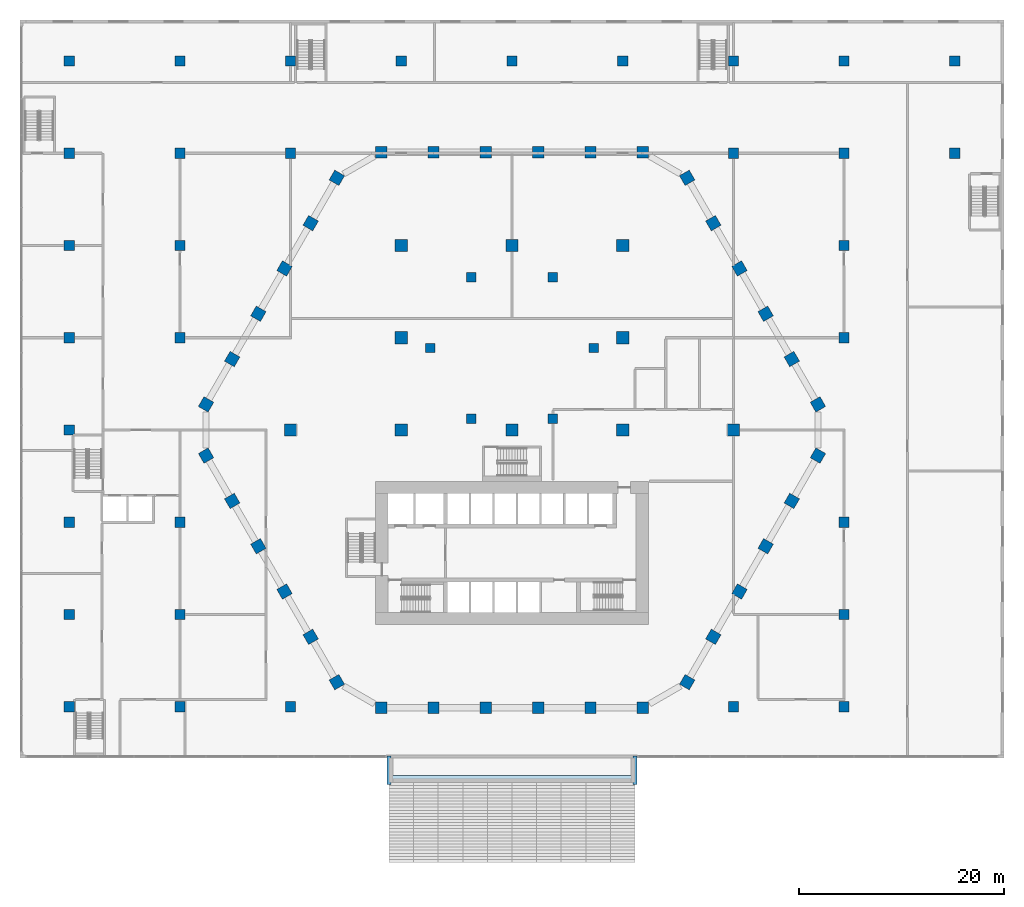
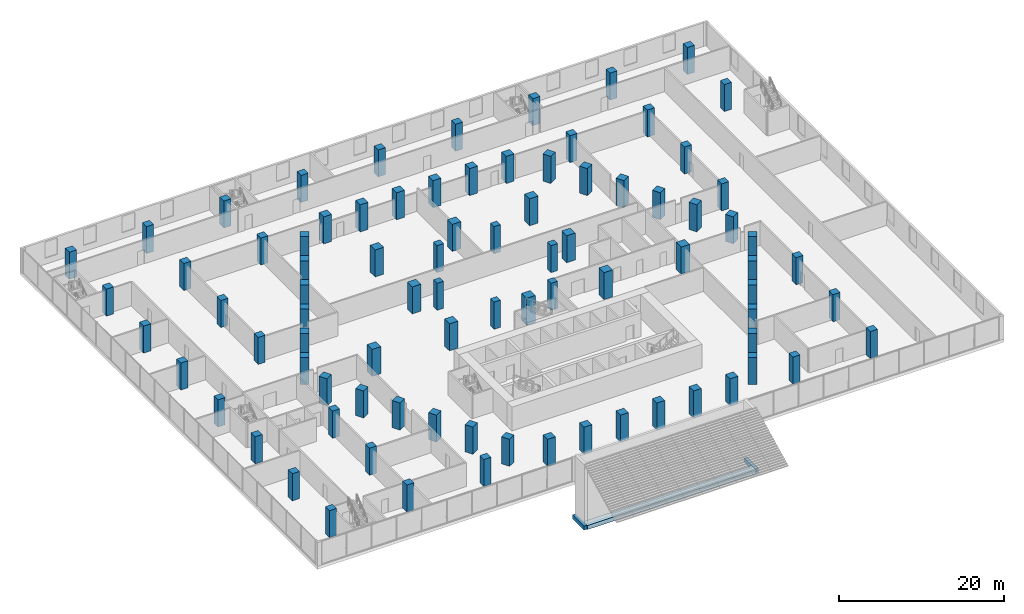
# One storey, part 1 of 45: 85 columns, 3 footings.
"""IFC4 building model written with IfcOpenShell, lengths in metres."""

from ifc_helpers import new_model, si_unit, direction, frame, origin, origin_2d, place, context, subcontext, project, spatial, polyline, rectangle, outline, extrude, material, material_profile, profile_set, type_object, element, save


model = new_model("IFC4")

# Units and contexts
model_context = context("Model", 3, precision=1e-05, world=origin(), true_north=direction((0.0, 1.0)))
body_context = subcontext(model_context, "Body", "Model", "MODEL_VIEW")
ifc_project = project(units=[si_unit("LENGTHUNIT", "METRE"), si_unit("AREAUNIT", "SQUARE_METRE"), si_unit("VOLUMEUNIT", "CUBIC_METRE"), si_unit("PLANEANGLEUNIT", "RADIAN"), si_unit("MASSUNIT", "GRAM", prefix="KILO")], contexts=[model_context])

# Site, building, storey
site_placement = place(None, origin())
site = spatial("IfcSite", under=ifc_project, at=site_placement, CompositionType="ELEMENT")
building_placement = place(site_placement, origin())
building = spatial("IfcBuilding", under=site, at=building_placement, Name="Beryl Residences", CompositionType="ELEMENT")
storey_placement = place(building_placement, frame((0.0, 0.0, 5.0)))
storey = spatial("IfcBuildingStorey", under=building, at=storey_placement, Name="L01", CompositionType="ELEMENT", Elevation=5.0)

# Footings
ifc_material_1 = material(Name="Concrete C40/50", Category="concrete")
footing_type = type_object("IfcFootingType", Name="FS1 stair strip footing 1000 x 600 mm", PredefinedType="STRIP_FOOTING", material=ifc_material_1)
footing_1_placement = place(storey_placement, frame((0.0, 0.0, -5.60009765625)))
element("IfcFooting", 1, at=footing_1_placement, inside=storey, type_object=footing_type, Name="FS1 stair strip footing footing-wall2", PredefinedType="STRIP_FOOTING", context=body_context, shape_type="SweptSolid", body=[
    extrude(outline(polyline([(-11.800048828125, -34.699951171875), (11.800048828125, -34.699951171875), (11.800048828125, -33.699951171875), (-11.800048828125, -33.699951171875), (-11.800048828125, -34.699951171875)])), origin(), (0.0, 0.0, 1.0), 0.60009765625),
])
footing_2_placement = place(storey_placement, frame((0.0, 0.0, -5.60009765625)))
element("IfcFooting", 2, at=footing_2_placement, inside=storey, type_object=footing_type, Name="FS1 stair strip footing footing-wend-w2", PredefinedType="STRIP_FOOTING", context=body_context, shape_type="SweptSolid", body=[
    extrude(outline(polyline([(-12.199951171875, -34.60009765625), (-11.800048828125, -34.60009765625), (-11.800048828125, -31.800048828125), (-12.199951171875, -31.800048828125), (-12.199951171875, -34.60009765625)])), origin(), (0.0, 0.0, 1.0), 0.60009765625),
])
footing_3_placement = place(storey_placement, frame((0.0, 0.0, -5.60009765625)))
element("IfcFooting", 3, at=footing_3_placement, inside=storey, type_object=footing_type, Name="FS1 stair strip footing footing-wend-e2", PredefinedType="STRIP_FOOTING", context=body_context, shape_type="SweptSolid", body=[
    extrude(outline(polyline([(11.800048828125, -34.60009765625), (12.199951171875, -34.60009765625), (12.199951171875, -31.800048828125), (11.800048828125, -31.800048828125), (11.800048828125, -34.60009765625)])), origin(), (0.0, 0.0, 1.0), 0.60009765625),
])

# Columns
ifc_material_2 = material(Name="Concrete C80/95", Category="concrete")
ifc_material_profile_1 = material_profile(ifc_material_2, rectangle(XDim=1.10009765625, YDim=1.10009765625, at=origin_2d()))
ifc_profile_set_1 = profile_set([ifc_material_profile_1], Name="Concrete C80/95")
column_type_1 = type_object("IfcColumnType", Name="C1 tube column 1100 x 1100 C80/95", PredefinedType="COLUMN", material=ifc_profile_set_1)
for number, where, z_axis, x_axis, name in (
    (4, (12.759033203125, 27.10009765625, 0.0), (0.0, 0.0, 1.0), (-1.0, 0.0, 0.0), "C1-N1 L01"),
    (5, (7.655029296875, 27.10009765625, 0.0), (0.0, 0.0, 1.0), (-1.0, 0.0, 0.0), "C1-N2 L01"),
    (6, (2.551025390625, 27.10009765625, 0.0), (0.0, 0.0, 1.0), (-1.0, 0.0, 0.0), "C1-N3 L01"),
    (7, (-2.552978515625, 27.10009765625, 0.0), (0.0, 0.0, 1.0), (-1.0, 0.0, 0.0), "C1-N4 L01"),
    (8, (-7.656982421875, 27.10009765625, 0.0), (0.0, 0.0, 1.0), (-1.0, 0.0, 0.0), "C1-N5 L01"),
    (9, (-12.760986328125, 27.10009765625, 0.0), (0.0, 0.0, 1.0), (-1.0, 0.0, 0.0), "C1-N6 L01"),
    (10, (-17.090087890625, 24.60009765625, 0.0), (0.0, 0.0, 1.0), (-0.499984884929, -0.866034130299, 0.0), "C1-NW1 L01"),
    (11, (-19.64208984375, 20.179931640625, 0.0), (0.0, 0.0, 1.0), (-0.499984884929, -0.866034130299, 0.0), "C1-NW2 L01"),
    (12, (-22.194091796875, 15.759033203125, 0.0), (0.0, 0.0, 1.0), (-0.499984884929, -0.866034130299, 0.0), "C1-NW3 L01"),
    (13, (-24.74609375, 11.339111328125, 0.0), (0.0, 0.0, 1.0), (-0.499984884929, -0.866034130299, 0.0), "C1-NW4 L01"),
    (14, (-27.298095703125, 6.9189453125, 0.0), (0.0, 0.0, 1.0), (-0.499984884929, -0.866034130299, 0.0), "C1-NW5 L01"),
    (15, (-29.84912109375, 2.4990234375, 0.0), (0.0, 0.0, 1.0), (-0.499984884929, -0.866034130299, 0.0), "C1-NW6 L01"),
    (16, (-29.847900390625, -2.5, 0.0), (0.0, 0.0, 1.0), (0.499984884929, -0.866034130299, 0.0), "C1-SW1 L01"),
    (17, (-27.297119140625, -6.9208984375, 0.0), (0.0, 0.0, 1.0), (0.499984884929, -0.866034130299, 0.0), "C1-SW2 L01"),
    (18, (-24.7451171875, -11.341064453125, 0.0), (0.0, 0.0, 1.0), (0.499984884929, -0.866034130299, 0.0), "C1-SW3 L01"),
    (19, (-22.193115234375, -15.760986328125, 0.0), (0.0, 0.0, 1.0), (0.499984884929, -0.866034130299, 0.0), "C1-SW4 L01"),
    (20, (-19.64111328125, -20.180908203125, 0.0), (0.0, 0.0, 1.0), (0.499984884929, -0.866034130299, 0.0), "C1-SW5 L01"),
    (21, (-17.089111328125, -24.60107421875, 0.0), (0.0, 0.0, 1.0), (0.499984884929, -0.866034130299, 0.0), "C1-SW6 L01"),
    (22, (-12.759033203125, -27.10009765625, 0.0), (0.0, 0.0, 1.0), (1.0, 0.0, 0.0), "C1-S1 L01"),
    (23, (-7.655029296875, -27.10009765625, 0.0), (0.0, 0.0, 1.0), (1.0, 0.0, 0.0), "C1-S2 L01"),
    (24, (-2.551025390625, -27.10009765625, 0.0), (0.0, 0.0, 1.0), (1.0, 0.0, 0.0), "C1-S3 L01"),
    (25, (2.552978515625, -27.10009765625, 0.0), (0.0, 0.0, 1.0), (1.0, 0.0, 0.0), "C1-S4 L01"),
    (26, (7.656982421875, -27.10009765625, 0.0), (0.0, 0.0, 1.0), (1.0, 0.0, 0.0), "C1-S5 L01"),
    (27, (12.760986328125, -27.10009765625, 0.0), (0.0, 0.0, 1.0), (1.0, 0.0, 0.0), "C1-S6 L01"),
    (28, (17.090087890625, -24.60009765625, 0.0), (0.0, 0.0, 1.0), (0.499984884929, 0.866034130299, 0.0), "C1-SE1 L01"),
    (29, (19.64208984375, -20.179931640625, 0.0), (0.0, 0.0, 1.0), (0.499984884929, 0.866034130299, 0.0), "C1-SE2 L01"),
    (30, (22.194091796875, -15.759033203125, 0.0), (0.0, 0.0, 1.0), (0.499984884929, 0.866034130299, 0.0), "C1-SE3 L01"),
    (31, (24.74609375, -11.339111328125, 0.0), (0.0, 0.0, 1.0), (0.499984884929, 0.866034130299, 0.0), "C1-SE4 L01"),
    (32, (27.298095703125, -6.9189453125, 0.0), (0.0, 0.0, 1.0), (0.499984884929, 0.866034130299, 0.0), "C1-SE5 L01"),
    (33, (29.84912109375, -2.4990234375, 0.0), (0.0, 0.0, 1.0), (0.499984884929, 0.866034130299, 0.0), "C1-SE6 L01"),
    (34, (29.847900390625, 2.5, 0.0), (0.0, 0.0, 1.0), (-0.499984884929, 0.866034130299, 0.0), "C1-NE1 L01"),
    (35, (27.297119140625, 6.9208984375, 0.0), (0.0, 0.0, 1.0), (-0.499984884929, 0.866034130299, 0.0), "C1-NE2 L01"),
    (36, (24.7451171875, 11.341064453125, 0.0), (0.0, 0.0, 1.0), (-0.499984884929, 0.866034130299, 0.0), "C1-NE3 L01"),
    (37, (22.193115234375, 15.760986328125, 0.0), (0.0, 0.0, 1.0), (-0.499984884929, 0.866034130299, 0.0), "C1-NE4 L01"),
    (38, (19.64111328125, 20.180908203125, 0.0), (0.0, 0.0, 1.0), (-0.499984884929, 0.866034130299, 0.0), "C1-NE5 L01"),
    (39, (17.089111328125, 24.60107421875, 0.0), (0.0, 0.0, 1.0), (-0.499984884929, 0.866034130299, 0.0), "C1-NE6 L01"),
):
    element("IfcColumn", number, at=place(storey_placement, frame(where, z_axis=z_axis, x_axis=x_axis)), inside=storey, type_object=column_type_1, Name=name, PredefinedType="COLUMN", context=body_context, shape_type="SweptSolid", body=[
        extrude(rectangle(XDim=1.10009765625, YDim=1.10009765625, at=origin_2d()), origin(), (0.0, 0.0, 1.0), 4.0),
    ])
ifc_material_3 = material(Name="Concrete C80/95", Category="concrete")
ifc_material_profile_2 = material_profile(ifc_material_3, rectangle(XDim=0.89990234375, YDim=0.89990234375, at=origin_2d()))
ifc_profile_set_2 = profile_set([ifc_material_profile_2], Name="Concrete C80/95")
column_type_2 = type_object("IfcColumnType", Name="IC1 interior column 900 x 900 C80/95", PredefinedType="COLUMN", material=ifc_profile_set_2)
for number, where, z_axis, x_axis, name in (
    (40, (3.98388671875, 1.10009765625, 0.0), (0.0, 0.0, 1.0), (1.0, 0.0, 0.0), "IC1-A07 L01"),
    (41, (7.967041015625, 8.0, 0.0), (0.0, 0.0, 1.0), (1.0, 0.0, 0.0), "IC1-A10 L01"),
    (42, (3.98388671875, 14.89990234375, 0.0), (0.0, 0.0, 1.0), (1.0, 0.0, 0.0), "IC1-A13 L01"),
    (43, (-3.98388671875, 14.89990234375, 0.0), (0.0, 0.0, 1.0), (1.0, 0.0, 0.0), "IC1-A16 L01"),
    (44, (-7.967041015625, 8.0, 0.0), (0.0, 0.0, 1.0), (1.0, 0.0, 0.0), "IC1-A19 L01"),
    (45, (-3.98388671875, 1.10009765625, 0.0), (0.0, 0.0, 1.0), (1.0, 0.0, 0.0), "IC1-A22 L01"),
):
    element("IfcColumn", number, at=place(storey_placement, frame(where, z_axis=z_axis, x_axis=x_axis)), inside=storey, type_object=column_type_2, Name=name, PredefinedType="COLUMN", context=body_context, shape_type="SweptSolid", body=[
        extrude(rectangle(XDim=0.89990234375, YDim=0.89990234375, at=origin_2d()), origin(), (0.0, 0.0, 1.0), 4.0),
    ])
ifc_material_4 = material(Name="Concrete C80/95", Category="concrete")
ifc_material_profile_3 = material_profile(ifc_material_4, rectangle(XDim=1.199951171875, YDim=1.199951171875, at=origin_2d()))
ifc_profile_set_3 = profile_set([ifc_material_profile_3], Name="Concrete C80/95")
column_type_3 = type_object("IfcColumnType", Name="IG1 grid column 1200 x 1200 C80/95", PredefinedType="COLUMN", material=ifc_profile_set_3)
for number, where, z_axis, x_axis, name in (
    (46, (-21.60009765625, 0.0, 0.0), (0.0, 0.0, 1.0), (1.0, 0.0, 0.0), "IG-3D L01"),
    (47, (-10.800048828125, 0.0, 0.0), (0.0, 0.0, 1.0), (1.0, 0.0, 0.0), "IG-4D L01"),
    (48, (-10.800048828125, 9.0, 0.0), (0.0, 0.0, 1.0), (1.0, 0.0, 0.0), "IG-4E L01"),
    (49, (-10.800048828125, 18.0, 0.0), (0.0, 0.0, 1.0), (1.0, 0.0, 0.0), "IG-4F L01"),
    (50, (0.0, 0.0, 0.0), (0.0, 0.0, 1.0), (1.0, 0.0, 0.0), "IG-5D L01"),
    (51, (0.0, 18.0, 0.0), (0.0, 0.0, 1.0), (1.0, 0.0, 0.0), "IG-5F L01"),
    (52, (10.800048828125, 0.0, 0.0), (0.0, 0.0, 1.0), (1.0, 0.0, 0.0), "IG-6D L01"),
    (53, (10.800048828125, 9.0, 0.0), (0.0, 0.0, 1.0), (1.0, 0.0, 0.0), "IG-6E L01"),
    (54, (10.800048828125, 18.0, 0.0), (0.0, 0.0, 1.0), (1.0, 0.0, 0.0), "IG-6F L01"),
    (55, (21.60009765625, 0.0, 0.0), (0.0, 0.0, 1.0), (1.0, 0.0, 0.0), "IG-7D L01"),
):
    element("IfcColumn", number, at=place(storey_placement, frame(where, z_axis=z_axis, x_axis=x_axis)), inside=storey, type_object=column_type_3, Name=name, PredefinedType="COLUMN", context=body_context, shape_type="SweptSolid", body=[
        extrude(rectangle(XDim=1.199951171875, YDim=1.199951171875, at=origin_2d()), origin(), (0.0, 0.0, 1.0), 4.0),
    ])
ifc_material_5 = material(Name="Concrete C50/60", Category="concrete")
ifc_material_profile_4 = material_profile(ifc_material_5, rectangle(XDim=1.0, YDim=1.0, at=origin_2d()))
ifc_profile_set_4 = profile_set([ifc_material_profile_4], Name="Concrete C50/60")
column_type_4 = type_object("IfcColumnType", Name="PCL1 podium column 1000 x 1000 C50/60", PredefinedType="COLUMN", material=ifc_profile_set_4)
for number, where, z_axis, x_axis, name in (
    (56, (-43.199951171875, -27.0, 0.0), (0.0, 0.0, 1.0), (1.0, 0.0, 0.0), "PCL-1A L01"),
    (57, (-43.199951171875, -18.0, 0.0), (0.0, 0.0, 1.0), (1.0, 0.0, 0.0), "PCL-1B L01"),
    (58, (-43.199951171875, -9.0, 0.0), (0.0, 0.0, 1.0), (1.0, 0.0, 0.0), "PCL-1C L01"),
    (59, (-43.199951171875, 0.0, 0.0), (0.0, 0.0, 1.0), (1.0, 0.0, 0.0), "PCL-1D L01"),
    (60, (-43.199951171875, 9.0, 0.0), (0.0, 0.0, 1.0), (1.0, 0.0, 0.0), "PCL-1E L01"),
    (61, (-43.199951171875, 18.0, 0.0), (0.0, 0.0, 1.0), (1.0, 0.0, 0.0), "PCL-1F L01"),
    (62, (-43.199951171875, 27.0, 0.0), (0.0, 0.0, 1.0), (1.0, 0.0, 0.0), "PCL-1G L01"),
    (63, (-43.199951171875, 36.0, 0.0), (0.0, 0.0, 1.0), (1.0, 0.0, 0.0), "PCL-1H L01"),
    (64, (-32.39990234375, -27.0, 0.0), (0.0, 0.0, 1.0), (1.0, 0.0, 0.0), "PCL-2A L01"),
    (65, (-32.39990234375, -18.0, 0.0), (0.0, 0.0, 1.0), (1.0, 0.0, 0.0), "PCL-2B L01"),
    (66, (-32.39990234375, -9.0, 0.0), (0.0, 0.0, 1.0), (1.0, 0.0, 0.0), "PCL-2C L01"),
    (67, (-32.39990234375, 9.0, 0.0), (0.0, 0.0, 1.0), (1.0, 0.0, 0.0), "PCL-2E L01"),
    (68, (-32.39990234375, 18.0, 0.0), (0.0, 0.0, 1.0), (1.0, 0.0, 0.0), "PCL-2F L01"),
    (69, (-32.39990234375, 27.0, 0.0), (0.0, 0.0, 1.0), (1.0, 0.0, 0.0), "PCL-2G L01"),
    (70, (-32.39990234375, 36.0, 0.0), (0.0, 0.0, 1.0), (1.0, 0.0, 0.0), "PCL-2H L01"),
    (71, (-21.60009765625, -27.0, 0.0), (0.0, 0.0, 1.0), (1.0, 0.0, 0.0), "PCL-3A L01"),
    (72, (-21.60009765625, 27.0, 0.0), (0.0, 0.0, 1.0), (1.0, 0.0, 0.0), "PCL-3G L01"),
    (73, (-21.60009765625, 36.0, 0.0), (0.0, 0.0, 1.0), (1.0, 0.0, 0.0), "PCL-3H L01"),
    (74, (-10.800048828125, 36.0, 0.0), (0.0, 0.0, 1.0), (1.0, 0.0, 0.0), "PCL-4H L01"),
    (75, (0.0, 36.0, 0.0), (0.0, 0.0, 1.0), (1.0, 0.0, 0.0), "PCL-5H L01"),
    (76, (10.800048828125, 36.0, 0.0), (0.0, 0.0, 1.0), (1.0, 0.0, 0.0), "PCL-6H L01"),
    (77, (21.60009765625, -27.0, 0.0), (0.0, 0.0, 1.0), (1.0, 0.0, 0.0), "PCL-7A L01"),
    (78, (21.60009765625, 27.0, 0.0), (0.0, 0.0, 1.0), (1.0, 0.0, 0.0), "PCL-7G L01"),
    (79, (21.60009765625, 36.0, 0.0), (0.0, 0.0, 1.0), (1.0, 0.0, 0.0), "PCL-7H L01"),
    (80, (32.39990234375, -27.0, 0.0), (0.0, 0.0, 1.0), (1.0, 0.0, 0.0), "PCL-8A L01"),
    (81, (32.39990234375, -18.0, 0.0), (0.0, 0.0, 1.0), (1.0, 0.0, 0.0), "PCL-8B L01"),
    (82, (32.39990234375, -9.0, 0.0), (0.0, 0.0, 1.0), (1.0, 0.0, 0.0), "PCL-8C L01"),
    (83, (32.39990234375, 9.0, 0.0), (0.0, 0.0, 1.0), (1.0, 0.0, 0.0), "PCL-8E L01"),
    (84, (32.39990234375, 18.0, 0.0), (0.0, 0.0, 1.0), (1.0, 0.0, 0.0), "PCL-8F L01"),
    (85, (32.39990234375, 27.0, 0.0), (0.0, 0.0, 1.0), (1.0, 0.0, 0.0), "PCL-8G L01"),
    (86, (32.39990234375, 36.0, 0.0), (0.0, 0.0, 1.0), (1.0, 0.0, 0.0), "PCL-8H L01"),
    (87, (43.199951171875, 27.0, 0.0), (0.0, 0.0, 1.0), (1.0, 0.0, 0.0), "PCL-9G L01"),
    (88, (43.199951171875, 36.0, 0.0), (0.0, 0.0, 1.0), (1.0, 0.0, 0.0), "PCL-9H L01"),
):
    element("IfcColumn", number, at=place(storey_placement, frame(where, z_axis=z_axis, x_axis=x_axis)), inside=storey, type_object=column_type_4, Name=name, PredefinedType="COLUMN", context=body_context, shape_type="SweptSolid", body=[
        extrude(rectangle(XDim=1.0, YDim=1.0, at=origin_2d()), origin(), (0.0, 0.0, 1.0), 4.0),
    ])

save(model, "model.ifc")
